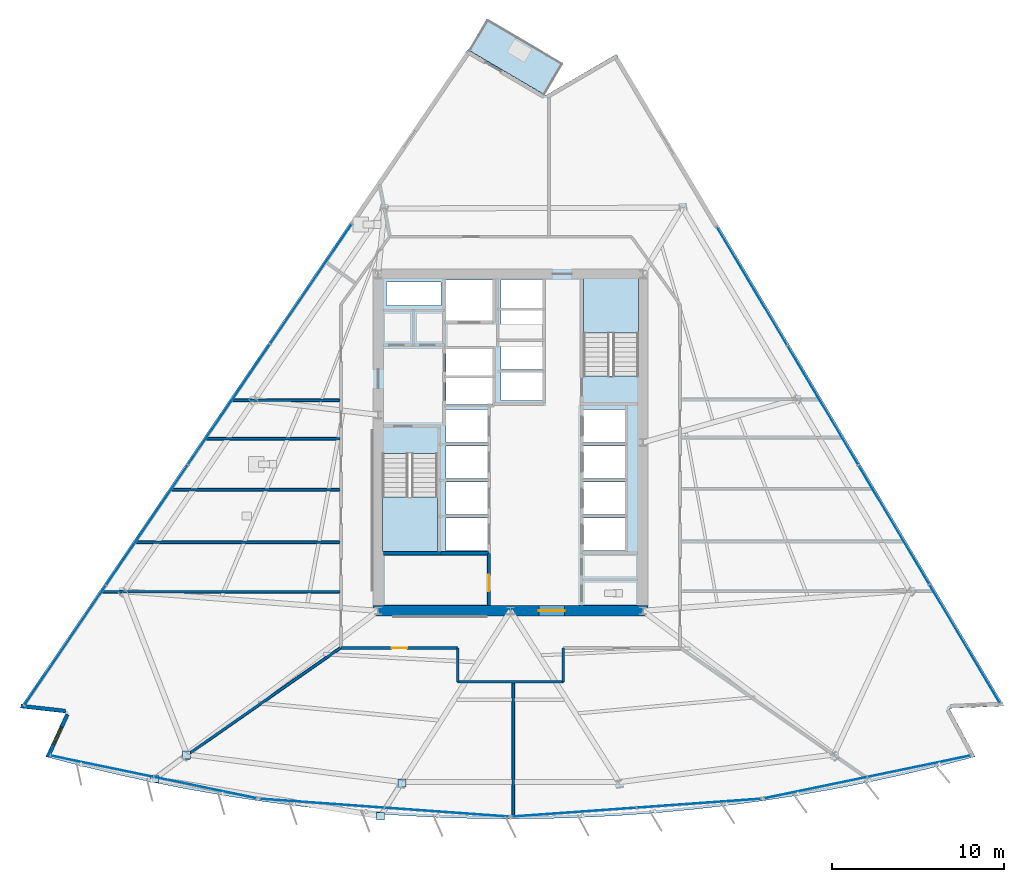
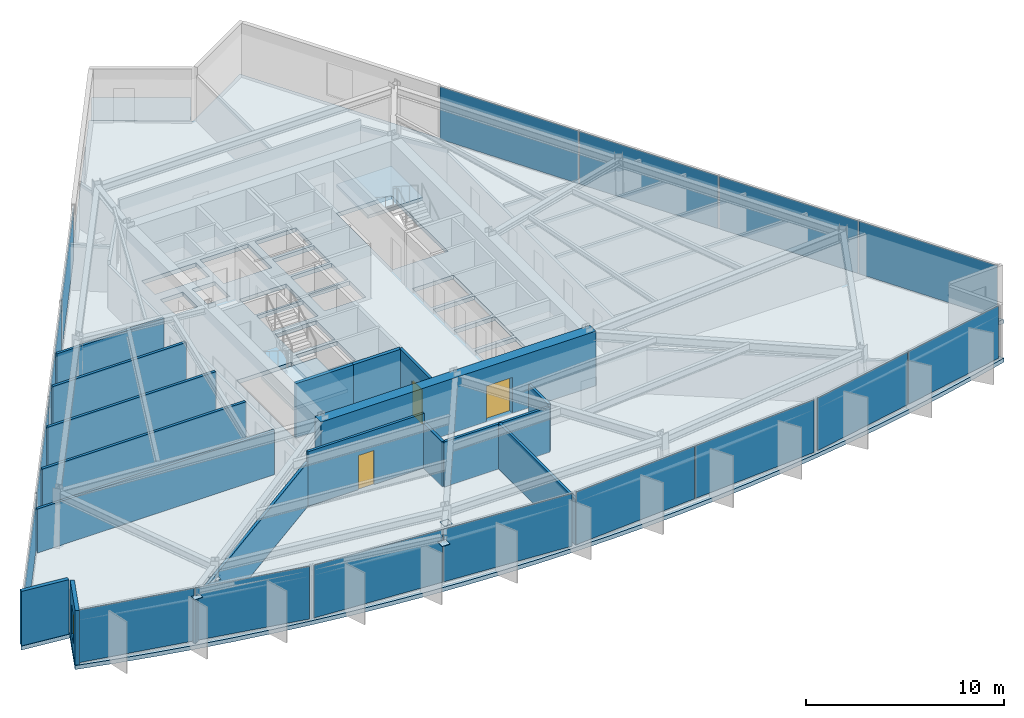
# One storey, part 7 of 15: 20 plates, 17 walls, 4 slabs, 3 doors, 1 window, 4 openings, 8 elements without a shape of their own.
"""IFC4 building model written with IfcOpenShell, lengths in metres."""

from ifc_helpers import new_model, si_unit, direction, frame, frame_2d, origin, origin_2d, place, context, subcontext, project, spatial, polyline, rectangle, outline, extrude, material, layer, layer_set, type_object, element, fill, aggregate, save


model = new_model("IFC4")

# Units and contexts
model_context = context("Model", 3, precision=1e-05, world=origin(), true_north=direction((0.0, 1.0)))
body_context = subcontext(model_context, "Body", "Model", "MODEL_VIEW")
ifc_project = project(units=[si_unit("LENGTHUNIT", "METRE"), si_unit("AREAUNIT", "SQUARE_METRE"), si_unit("VOLUMEUNIT", "CUBIC_METRE"), si_unit("PLANEANGLEUNIT", "RADIAN"), si_unit("MASSUNIT", "GRAM", prefix="KILO")], contexts=[model_context])

# Site, building, storey
site_placement = place(None, origin())
site = spatial("IfcSite", under=ifc_project, at=site_placement, CompositionType="ELEMENT")
building_placement = place(site_placement, origin())
building = spatial("IfcBuilding", under=site, at=building_placement, Name="Savorim Split Tower", CompositionType="ELEMENT")
storey_placement = place(building_placement, frame((0.0, 0.0, 100.5)))
storey = spatial("IfcBuildingStorey", under=building, at=storey_placement, Name="L26", CompositionType="ELEMENT", Elevation=100.5)

# Curtain wall, plates
ifc_material_1 = material(Name="Dark Ceramic-Fritted Insulated Glass", Category="glass")
curtain_wall_type = type_object("IfcCurtainWallType", Name="CW-TWR-FRIT-A", PredefinedType="NOTDEFINED", material=ifc_material_1)
curtain_wall_1_placement = place(storey_placement, origin())
curtain_wall_1 = element("IfcCurtainWall", 1, at=curtain_wall_1_placement, inside=storey, type_object=curtain_wall_type, Name="L26 Curtain Wall CW-L26-SF1", PredefinedType="NOTDEFINED")
ifc_layer_1 = layer(ifc_material_1, 0.028076171875)
ifc_layer_set_1 = layer_set([ifc_layer_1], Name="CWP-FRITA-28")
plate_type_1 = type_object("IfcPlateType", Name="CWP-FRITA-28", PredefinedType="CURTAIN_PANEL", material=ifc_layer_set_1)
plate_1_placement = place(storey_placement, frame((-23.7607421875, -18.440673828125, 0.05517578125), z_axis=(0.0, 0.0, 1.0), x_axis=(0.979135145772, -0.203210153081, 0.0)))
plate_1 = element("IfcPlate", 2, at=plate_1_placement, type_object=plate_type_1, Name="CW-02 panel 1.1", PredefinedType="CURTAIN_PANEL", context=body_context, shape_type="SweptSolid", body=[
    extrude(rectangle(XDim=6.072021484375, YDim=0.028076171875, at=origin_2d()), origin(), (0.0, 0.0, 1.0), 3.239990234375),
])
plate_2_placement = place(storey_placement, frame((-17.751708984375, -19.687744140625, 0.05517578125), z_axis=(0.0, 0.0, 1.0), x_axis=(0.979135145772, -0.203210153081, 0.0)))
plate_2 = element("IfcPlate", 3, at=plate_2_placement, type_object=plate_type_1, Name="CW-02 panel 2.1", PredefinedType="CURTAIN_PANEL", context=body_context, shape_type="SweptSolid", body=[
    extrude(rectangle(XDim=6.072021484375, YDim=0.028076171875, at=origin_2d()), origin(), (0.0, 0.0, 1.0), 3.239990234375),
])
aggregate(curtain_wall_1, [plate_1, plate_2])

curtain_wall_2_placement = place(storey_placement, origin())
curtain_wall_2 = element("IfcCurtainWall", 4, at=curtain_wall_2_placement, inside=storey, type_object=curtain_wall_type, Name="L26 Curtain Wall CW-L26-SF2", PredefinedType="NOTDEFINED")
plate_3_placement = place(storey_placement, frame((-10.9560546875, -20.594482421875, 0.05517578125), z_axis=(0.0, 0.0, 1.0), x_axis=(0.997436258114, -0.071560540796, 0.0)))
plate_3 = element("IfcPlate", 5, at=plate_3_placement, type_object=plate_type_1, Name="CW-02 panel 1.1", PredefinedType="CURTAIN_PANEL", context=body_context, shape_type="SweptSolid", body=[
    extrude(rectangle(XDim=7.201904296875, YDim=0.028076171875, at=origin_2d()), origin(), (0.0, 0.0, 1.0), 3.239990234375),
])
plate_4_placement = place(storey_placement, frame((-3.707763671875, -21.114501953125, 0.05517578125), z_axis=(0.0, 0.0, 1.0), x_axis=(0.997436258114, -0.071560540796, 0.0)))
plate_4 = element("IfcPlate", 6, at=plate_4_placement, type_object=plate_type_1, Name="CW-02 panel 2.1", PredefinedType="CURTAIN_PANEL", context=body_context, shape_type="SweptSolid", body=[
    extrude(rectangle(XDim=7.201904296875, YDim=0.028076171875, at=origin_2d()), origin(), (0.0, 0.0, 1.0), 3.239990234375),
])
aggregate(curtain_wall_2, [plate_3, plate_4])

curtain_wall_3_placement = place(storey_placement, origin())
curtain_wall_3 = element("IfcCurtainWall", 7, at=curtain_wall_3_placement, inside=storey, type_object=curtain_wall_type, Name="L26 Curtain Wall CW-L26-SF3", PredefinedType="NOTDEFINED")
plate_5_placement = place(storey_placement, frame((3.707763671875, -21.114501953125, 0.05517578125), z_axis=(0.0, 0.0, 1.0), x_axis=(0.997436258114, 0.071560540796, 0.0)))
plate_5 = element("IfcPlate", 8, at=plate_5_placement, type_object=plate_type_1, Name="CW-02 panel 1.1", PredefinedType="CURTAIN_PANEL", context=body_context, shape_type="SweptSolid", body=[
    extrude(rectangle(XDim=7.201904296875, YDim=0.028076171875, at=origin_2d()), origin(), (0.0, 0.0, 1.0), 3.239990234375),
])
plate_6_placement = place(storey_placement, frame((10.9560546875, -20.594482421875, 0.05517578125), z_axis=(0.0, 0.0, 1.0), x_axis=(0.997436258114, 0.071560540796, 0.0)))
plate_6 = element("IfcPlate", 9, at=plate_6_placement, type_object=plate_type_1, Name="CW-02 panel 2.1", PredefinedType="CURTAIN_PANEL", context=body_context, shape_type="SweptSolid", body=[
    extrude(rectangle(XDim=7.201904296875, YDim=0.028076171875, at=origin_2d()), origin(), (0.0, 0.0, 1.0), 3.239990234375),
])
aggregate(curtain_wall_3, [plate_5, plate_6])

curtain_wall_4_placement = place(storey_placement, origin())
curtain_wall_4 = element("IfcCurtainWall", 10, at=curtain_wall_4_placement, inside=storey, type_object=curtain_wall_type, Name="L26 Curtain Wall CW-L26-SF4", PredefinedType="NOTDEFINED")
plate_7_placement = place(storey_placement, frame((17.751708984375, -19.687744140625, 0.05517578125), z_axis=(0.0, 0.0, 1.0), x_axis=(0.979135145772, 0.203210153081, 0.0)))
plate_7 = element("IfcPlate", 11, at=plate_7_placement, type_object=plate_type_1, Name="CW-02 panel 1.1", PredefinedType="CURTAIN_PANEL", context=body_context, shape_type="SweptSolid", body=[
    extrude(rectangle(XDim=6.072021484375, YDim=0.028076171875, at=origin_2d()), origin(), (0.0, 0.0, 1.0), 3.239990234375),
])
plate_8_placement = place(storey_placement, frame((23.7607421875, -18.440673828125, 0.05517578125), z_axis=(0.0, 0.0, 1.0), x_axis=(0.979135145772, 0.203210153081, 0.0)))
plate_8 = element("IfcPlate", 12, at=plate_8_placement, type_object=plate_type_1, Name="CW-02 panel 2.1", PredefinedType="CURTAIN_PANEL", context=body_context, shape_type="SweptSolid", body=[
    extrude(rectangle(XDim=6.072021484375, YDim=0.028076171875, at=origin_2d()), origin(), (0.0, 0.0, 1.0), 3.239990234375),
])
aggregate(curtain_wall_4, [plate_7, plate_8])

curtain_wall_5_placement = place(storey_placement, origin())
curtain_wall_5 = element("IfcCurtainWall", 13, at=curtain_wall_5_placement, inside=storey, type_object=curtain_wall_type, Name="L26 Curtain Wall CW-L26-EAST", PredefinedType="NOTDEFINED")
plate_9_placement = place(storey_placement, frame((26.423583984375, -11.32275390625, 0.05517578125), z_axis=(0.0, 0.0, 1.0), x_axis=(-0.511094481315, 0.859524537852, 0.0)))
plate_9 = element("IfcPlate", 14, at=plate_9_placement, type_object=plate_type_1, Name="CW-02 panel 1.1", PredefinedType="CURTAIN_PANEL", context=body_context, shape_type="SweptSolid", body=[
    extrude(rectangle(XDim=7.983154296875, YDim=0.028076171875, at=origin_2d()), origin(), (0.0, 0.0, 1.0), 3.239990234375),
])
plate_10_placement = place(storey_placement, frame((22.3017578125, -4.39111328125, 0.05517578125), z_axis=(0.0, 0.0, 1.0), x_axis=(-0.511094481315, 0.859524537852, 0.0)))
plate_10 = element("IfcPlate", 15, at=plate_10_placement, type_object=plate_type_1, Name="CW-02 panel 2.1", PredefinedType="CURTAIN_PANEL", context=body_context, shape_type="SweptSolid", body=[
    extrude(rectangle(XDim=8.015625, YDim=0.028076171875, at=origin_2d()), origin(), (0.0, 0.0, 1.0), 3.239990234375),
])
plate_11_placement = place(storey_placement, frame((18.171630859375, 2.554443359375, 0.05517578125), z_axis=(0.0, 0.0, 1.0), x_axis=(-0.511094481315, 0.859524537852, 0.0)))
plate_11 = element("IfcPlate", 16, at=plate_11_placement, type_object=plate_type_1, Name="CW-02 panel 3.1", PredefinedType="CURTAIN_PANEL", context=body_context, shape_type="SweptSolid", body=[
    extrude(rectangle(XDim=8.015625, YDim=0.028076171875, at=origin_2d()), origin(), (0.0, 0.0, 1.0), 3.239990234375),
])
plate_12_placement = place(storey_placement, frame((14.050048828125, 9.486083984375, 0.05517578125), z_axis=(0.0, 0.0, 1.0), x_axis=(-0.511094481315, 0.859524537852, 0.0)))
plate_12 = element("IfcPlate", 17, at=plate_12_placement, type_object=plate_type_1, Name="CW-02 panel 4.1", PredefinedType="CURTAIN_PANEL", context=body_context, shape_type="SweptSolid", body=[
    extrude(rectangle(XDim=7.983154296875, YDim=0.028076171875, at=origin_2d()), origin(), (0.0, 0.0, 1.0), 3.239990234375),
])
aggregate(curtain_wall_5, [plate_9, plate_10, plate_11, plate_12])

curtain_wall_6_placement = place(storey_placement, origin())
curtain_wall_6 = element("IfcCurtainWall", 18, at=curtain_wall_6_placement, inside=storey, type_object=curtain_wall_type, Name="L26 Curtain Wall CW-L26-WEST", PredefinedType="NOTDEFINED")
plate_13_placement = place(storey_placement, frame((-11.61328125, 9.613525390625, 0.05517578125), z_axis=(0.0, 0.0, 1.0), x_axis=(-0.562467515846, -0.826819383915, 0.0)))
plate_13 = element("IfcPlate", 19, at=plate_13_placement, type_object=plate_type_1, Name="CW-02 panel 1.1", PredefinedType="CURTAIN_PANEL", context=body_context, shape_type="SweptSolid", body=[
    extrude(rectangle(XDim=8.39013671875, YDim=0.028076171875, at=origin_2d()), origin(), (0.0, 0.0, 1.0), 3.239990234375),
])
plate_14_placement = place(storey_placement, frame((-16.378173828125, 2.609375, 0.05517578125), z_axis=(0.0, 0.0, 1.0), x_axis=(-0.562467515846, -0.826819383915, 0.0)))
plate_14 = element("IfcPlate", 20, at=plate_14_placement, type_object=plate_type_1, Name="CW-02 panel 2.1", PredefinedType="CURTAIN_PANEL", context=body_context, shape_type="SweptSolid", body=[
    extrude(rectangle(XDim=8.422607421875, YDim=0.028076171875, at=origin_2d()), origin(), (0.0, 0.0, 1.0), 3.239990234375),
])
plate_15_placement = place(storey_placement, frame((-21.15234375, -4.408447265625, 0.05517578125), z_axis=(0.0, 0.0, 1.0), x_axis=(-0.562467515846, -0.826819383915, 0.0)))
plate_15 = element("IfcPlate", 21, at=plate_15_placement, type_object=plate_type_1, Name="CW-02 panel 3.1", PredefinedType="CURTAIN_PANEL", context=body_context, shape_type="SweptSolid", body=[
    extrude(rectangle(XDim=8.422607421875, YDim=0.028076171875, at=origin_2d()), origin(), (0.0, 0.0, 1.0), 3.239990234375),
])
plate_16_placement = place(storey_placement, frame((-25.917236328125, -11.412841796875, 0.05517578125), z_axis=(0.0, 0.0, 1.0), x_axis=(-0.562467515846, -0.826819383915, 0.0)))
plate_16 = element("IfcPlate", 22, at=plate_16_placement, type_object=plate_type_1, Name="CW-02 panel 4.1", PredefinedType="CURTAIN_PANEL", context=body_context, shape_type="SweptSolid", body=[
    extrude(rectangle(XDim=8.39013671875, YDim=0.028076171875, at=origin_2d()), origin(), (0.0, 0.0, 1.0), 3.239990234375),
])
aggregate(curtain_wall_6, [plate_13, plate_14, plate_15, plate_16])

# Plates
ifc_material_2 = material(Name="Steel S460", Category="steel")
ifc_layer_2 = layer(ifc_material_2, 0.02490234375)
ifc_layer_set_2 = layer_set([ifc_layer_2], Name="PLT-NODE-CN1")
plate_type_2 = type_object("IfcPlateType", Name="PLT-NODE-CN1", PredefinedType="SHEET", material=ifc_layer_set_2)
for number, where, z_axis, x_axis, name in (
    (23, (-18.848876953125, -17.796630859375, 2.4375), (0.0, 0.0, 1.0), (1.0, 0.0, 0.0), "L26 Bay Strut Column Gusset Plate 1"),
    (24, (-20.7041015625, -19.169921875, 2.8076171875), (0.0, 0.0, 1.0), (1.0, 0.0, 0.0), "L26 Bay Strut Tip Gusset Plate 1"),
    (25, (-6.317138671875, -19.405517578125, 2.4375), (0.0, 0.0, 1.0), (1.0, 0.0, 0.0), "L26 Bay Strut Column Gusset Plate 2"),
    (26, (-7.56640625, -21.3505859375, 2.8076171875), (0.0, 0.0, 1.0), (1.0, 0.0, 0.0), "L26 Bay Strut Tip Gusset Plate 2"),
):
    element("IfcPlate", number, at=place(storey_placement, frame(where, z_axis=z_axis, x_axis=x_axis)), inside=storey, type_object=plate_type_2, Name=name, PredefinedType="SHEET", context=body_context, shape_type="SweptSolid", body=[
        extrude(rectangle(XDim=0.4599609375, YDim=0.4599609375, at=origin_2d()), origin(), (0.0, 0.0, 1.0), 0.02490234375),
    ])

# Slab
ifc_material_3 = material(Name="Concrete C50/60", Category="concrete")
ifc_layer_3 = layer(ifc_material_3, 0.219970703125)
ifc_layer_set_3 = layer_set([ifc_layer_3], Name="SLB-BAL-220")
slab_type_1 = type_object("IfcSlabType", Name="SLB-BAL-220", PredefinedType="FLOOR", material=ifc_layer_set_3)
slab_1_placement = place(storey_placement, frame((0.0, 0.0, -0.219970703125)))
element("IfcSlab", 27, at=slab_1_placement, inside=storey, type_object=slab_type_1, Name="L26 Notched Corner Planted Tree Balcony Slab", PredefinedType="FLOOR", context=body_context, shape_type="SweptSolid", body=[
    extrude(outline(polyline([(-2.377197265625, 23.191650390625), (1.94580078125, 20.650634765625), (2.98193359375, 22.413818359375), (-1.341064453125, 24.95458984375), (-2.377197265625, 23.191650390625)])), origin(), (0.0, 0.0, 1.0), 0.219970703125),
])

# Stair, slab
stair_type = type_object("IfcStairType", Name="STR-DOG-3600", PredefinedType="HALF_TURN_STAIR", material=ifc_material_3)
stair_1_placement = place(storey_placement, origin())
stair_1 = element("IfcStair", 28, at=stair_1_placement, inside=storey, type_object=stair_type, Name="L26 Core Protected Exit Stair ST-1", PredefinedType="HALF_TURN_STAIR")
ifc_layer_4 = layer(ifc_material_3, 0.199951171875)
ifc_layer_set_4 = layer_set([ifc_layer_4], Name="SLB-LND-200")
slab_type_2 = type_object("IfcSlabType", Name="SLB-LND-200", PredefinedType="LANDING", material=ifc_layer_set_4)
slab_2_placement = place(storey_placement, frame((0.0, 0.0, 1.60009765625)))
slab_2 = element("IfcSlab", 29, at=slab_2_placement, type_object=slab_type_2, Name="ST-1 landing 1", PredefinedType="LANDING", context=body_context, shape_type="SweptSolid", body=[
    extrude(outline(polyline([(-7.449951171875, -2.77001953125), (-7.449951171875, -5.949951171875), (-4.25, -5.949951171875), (-4.25, -2.77001953125), (-7.449951171875, -2.77001953125)])), origin(), (0.0, 0.0, 1.0), 0.199951171875),
])
aggregate(stair_1, [slab_2])

stair_2_placement = place(storey_placement, origin())
stair_2 = element("IfcStair", 30, at=stair_2_placement, inside=storey, type_object=stair_type, Name="L26 Core Protected Exit Stair ST-2", PredefinedType="HALF_TURN_STAIR")
slab_3_placement = place(storey_placement, frame((0.0, 0.0, 1.60009765625)))
slab_3 = element("IfcSlab", 31, at=slab_3_placement, type_object=slab_type_2, Name="ST-2 landing 1", PredefinedType="LANDING", context=body_context, shape_type="SweptSolid", body=[
    extrude(outline(polyline([(7.449951171875, 6.77001953125), (7.449951171875, 9.949951171875), (4.25, 9.949951171875), (4.25, 6.77001953125), (7.449951171875, 6.77001953125)])), origin(), (0.0, 0.0, 1.0), 0.199951171875),
])
aggregate(stair_2, [slab_3])

# Slab
ifc_layer_5 = layer(ifc_material_3, 0.25)
ifc_layer_set_5 = layer_set([ifc_layer_5], Name="SLB-TWR-250")
slab_type_3 = type_object("IfcSlabType", Name="SLB-TWR-250", PredefinedType="FLOOR", material=ifc_layer_set_5)
slab_4_placement = place(storey_placement, frame((0.0, 0.0, -0.25)))
element("IfcSlab", 32, at=slab_4_placement, inside=storey, type_object=slab_type_3, Name="L26 Structural Floor Slab", PredefinedType="FLOOR", context=body_context, shape_type="SweptSolid", body=[
    extrude(outline(polyline([(-27.036865234375, -17.88330078125), (-25.000732421875, -18.415771484375), (-22.954345703125, -18.90625), (-20.898193359375, -19.35498046875), (-18.83349609375, -19.76171875), (-16.7607421875, -20.125732421875), (-14.68115234375, -20.447509765625), (-12.59521484375, -20.7265625), (-10.504150390625, -20.962890625), (-8.40869140625, -21.156494140625), (-6.3095703125, -21.30712890625), (-4.207763671875, -21.414794921875), (-2.104248046875, -21.479248046875), (0.0, -21.500732421875), (2.104248046875, -21.479248046875), (4.207763671875, -21.414794921875), (6.3095703125, -21.30712890625), (8.40869140625, -21.156494140625), (10.504150390625, -20.962890625), (12.59521484375, -20.7265625), (14.68115234375, -20.447509765625), (16.7607421875, -20.125732421875), (18.83349609375, -19.76171875), (20.898193359375, -19.35498046875), (22.954345703125, -18.90625), (25.000732421875, -18.415771484375), (27.036865234375, -17.88330078125), (25.52880859375, -15.072998046875), (28.71240234375, -14.9375), (6.1630859375, 22.984619140625), (2.046875, 20.585693359375), (-2.4833984375, 23.248046875), (-28.536376953125, -15.049560546875), (-25.87158203125, -15.34716796875), (-27.036865234375, -17.88330078125)]), holes=[polyline([(-7.449951171875, -0.25390625), (-7.449951171875, -5.949951171875), (-4.25, -5.949951171875), (-4.25, -0.25390625), (-7.449951171875, -0.25390625)]), polyline([(7.449951171875, 4.25390625), (7.449951171875, 9.949951171875), (4.25, 9.949951171875), (4.25, 4.25390625), (7.449951171875, 4.25390625)]), polyline([(4.25, -5.89990234375), (6.64990234375, -5.89990234375), (6.64990234375, -4.0), (4.25, -4.0), (4.25, -5.89990234375)]), polyline([(4.25, -3.800048828125), (6.64990234375, -3.800048828125), (6.64990234375, -1.89990234375), (4.25, -1.89990234375), (4.25, -3.800048828125)]), polyline([(4.25, -1.699951171875), (6.64990234375, -1.699951171875), (6.64990234375, 0.199951171875), (4.25, 0.199951171875), (4.25, -1.699951171875)]), polyline([(4.25, 0.39990234375), (6.64990234375, 0.39990234375), (6.64990234375, 2.300048828125), (4.25, 2.300048828125), (4.25, 0.39990234375)]), polyline([(-3.75, -5.89990234375), (-1.35009765625, -5.89990234375), (-1.35009765625, -4.0), (-3.75, -4.0), (-3.75, -5.89990234375)]), polyline([(-3.75, -3.800048828125), (-1.35009765625, -3.800048828125), (-1.35009765625, -1.89990234375), (-3.75, -1.89990234375), (-3.75, -3.800048828125)]), polyline([(-3.75, -1.699951171875), (-1.35009765625, -1.699951171875), (-1.35009765625, 0.199951171875), (-3.75, 0.199951171875), (-3.75, -1.699951171875)]), polyline([(-3.75, 0.39990234375), (-1.35009765625, 0.39990234375), (-1.35009765625, 2.300048828125), (-3.75, 2.300048828125), (-3.75, 0.39990234375)]), polyline([(-0.550048828125, 2.830078125), (1.85009765625, 2.830078125), (1.85009765625, 4.469970703125), (-0.550048828125, 4.469970703125), (-0.550048828125, 2.830078125)]), polyline([(-0.550048828125, 4.6298828125), (1.85009765625, 4.6298828125), (1.85009765625, 6.27001953125), (-0.550048828125, 6.27001953125), (-0.550048828125, 4.6298828125)]), polyline([(-0.550048828125, 6.429931640625), (1.85009765625, 6.429931640625), (1.85009765625, 8.070068359375), (-0.550048828125, 8.070068359375), (-0.550048828125, 6.429931640625)]), polyline([(-0.550048828125, 8.22998046875), (1.85009765625, 8.22998046875), (1.85009765625, 9.8701171875), (-0.550048828125, 9.8701171875), (-0.550048828125, 8.22998046875)]), polyline([(-3.75, 2.60009765625), (-1.050048828125, 2.60009765625), (-1.050048828125, 4.159912109375), (-3.75, 4.159912109375), (-3.75, 2.60009765625)]), polyline([(-3.75, 4.280029296875), (-1.050048828125, 4.280029296875), (-1.050048828125, 5.840087890625), (-3.75, 5.840087890625), (-3.75, 4.280029296875)]), polyline([(-3.75, 7.449951171875), (-0.949951171875, 7.449951171875), (-0.949951171875, 9.85009765625), (-3.75, 9.85009765625), (-3.75, 7.449951171875)]), polyline([(-7.219970703125, 6.320068359375), (-5.919921875, 6.320068359375), (-5.919921875, 7.820068359375), (-7.219970703125, 7.820068359375), (-7.219970703125, 6.320068359375)]), polyline([(-5.3798828125, 6.320068359375), (-4.050048828125, 6.320068359375), (-4.050048828125, 7.820068359375), (-5.3798828125, 7.820068359375), (-5.3798828125, 6.320068359375)]), polyline([(-7.219970703125, 8.360107421875), (-4.050048828125, 8.360107421875), (-4.050048828125, 9.719970703125), (-7.219970703125, 9.719970703125), (-7.219970703125, 8.360107421875)])]), origin(), (0.0, 0.0, 1.0), 0.25),
])

# Wall, opening, door
ifc_material_4 = material(Name="Concrete C60/75", Category="concrete")
ifc_layer_6 = layer(ifc_material_4, 0.60009765625)
ifc_layer_set_6 = layer_set([ifc_layer_6], Name="WAL-COR-SH600")
wall_type_1 = type_object("IfcWallType", Name="WAL-COR-SH600", PredefinedType="SHEAR", material=ifc_layer_set_6)
wall_1_placement = place(storey_placement, frame((-8.0, -9.39990234375, 0.0), z_axis=(0.0, 0.0, 1.0), x_axis=(1.0, 0.0, 0.0)))
wall_1 = element("IfcWall", 33, at=wall_1_placement, inside=storey, type_object=wall_type_1, Name="L26 Offset Core South Shear Wall", PredefinedType="SHEAR", context=body_context, shape_type="SweptSolid", body=[
    extrude(rectangle(XDim=16.0, YDim=0.60009765625, at=frame_2d((8.0, 0.0))), origin(), (0.0, 0.0, 1.0), 3.35009765625),
])
opening_1_placement = place(wall_1_placement, frame((9.64990234375, 0.0, 0.0)))
opening_1 = element("IfcOpeningElement", 34, at=opening_1_placement, cuts=wall_1, Name="Opening DI-02", PredefinedType="OPENING", context=body_context, shape_type="SweptSolid", body=[
    extrude(rectangle(XDim=1.5, YDim=2.199951171875, at=frame_2d((0.75, 1.10009765625))), frame((0.0, 0.31005859375, 0.0), z_axis=(0.0, -1.0, 0.0), x_axis=(1.0, 0.0, 0.0)), (0.0, 0.0, 1.0), 0.6201171875),
])
ifc_material_5 = material(Name="Timber Fire Door Leaf", Category="wood")
door_type_1 = type_object("IfcDoorType", Name="DOR-DBL-1500", OperationType="NOTDEFINED", PredefinedType="DOOR", material=ifc_material_5)
door_1_placement = place(opening_1_placement, origin())
door_1 = element("IfcDoor", 35, at=door_1_placement, inside=storey, type_object=door_type_1, Name="DOR-L26-COR-LLOB - L26 Lift Lobby Main Rated Door", OperationType="DOUBLE_DOOR_SINGLE_SWING", OverallHeight=2.199951171875, OverallWidth=1.5, PredefinedType="DOOR", context=body_context, shape_type="SweptSolid", body=[
    extrude(rectangle(XDim=1.5, YDim=2.199951171875, at=frame_2d((0.75, 1.10009765625))), frame((0.0, 0.02490234375, 0.0), z_axis=(0.0, -1.0, 0.0), x_axis=(1.0, 0.0, 0.0)), (0.0, 0.0, 1.0), 0.050048828125),
])
fill(opening_1, door_1)

# Wall
ifc_material_6 = material(Name="Precast concrete C40/50", Category="concrete")
ifc_layer_7 = layer(ifc_material_6, 0.219970703125)
ifc_layer_set_7 = layer_set([ifc_layer_7], Name="WAL-EXT-CRN220")
wall_type_2 = type_object("IfcWallType", Name="WAL-EXT-CRN220", PredefinedType="SOLIDWALL", material=ifc_layer_set_7)
wall_2_placement = place(storey_placement, frame((-25.89794921875, -15.223388671875, 0.0), z_axis=(0.0, 0.0, 1.0), x_axis=(-0.993827522589, 0.110936267041, 0.0)))
element("IfcWall", 36, at=wall_2_placement, inside=storey, type_object=wall_type_2, Name="L26 Notched Corner Facade Wall SW1", PredefinedType="SOLIDWALL", context=body_context, shape_type="SweptSolid", body=[
    extrude(rectangle(XDim=2.601318359375, YDim=0.219970703125, at=frame_2d((1.30078125, 0.0))), origin(), (0.0, 0.0, 1.0), 3.35009765625),
])

# Wall, opening, window
wall_3_placement = place(storey_placement, frame((-26.9111328125, -17.89697265625, 0.0), z_axis=(0.0, 0.0, 1.0), x_axis=(0.417504190978, 0.908674997189, 0.0)))
wall_3 = element("IfcWall", 37, at=wall_3_placement, inside=storey, type_object=wall_type_2, Name="L26 Notched Corner Facade Wall SW", PredefinedType="SOLIDWALL", context=body_context, shape_type="SweptSolid", body=[
    extrude(rectangle(XDim=2.7109375, YDim=0.219970703125, at=frame_2d((1.35546875, 0.0))), origin(), (0.0, 0.0, 1.0), 3.35009765625),
])
opening_2_placement = place(wall_3_placement, frame((0.805419921875, 0.0, 0.6201171875)))
opening_2 = element("IfcOpeningElement", 38, at=opening_2_placement, cuts=wall_3, Name="Opening WN-09", PredefinedType="OPENING", context=body_context, shape_type="SweptSolid", body=[
    extrude(rectangle(XDim=1.10009765625, YDim=1.800048828125, at=frame_2d((0.550048828125, 0.89990234375))), frame((0.0, 0.119873046875, 0.0), z_axis=(0.0, -1.0, 0.0), x_axis=(1.0, 0.0, 0.0)), (0.0, 0.0, 1.0), 0.239990234375),
])
ifc_material_7 = material(Name="Low-E Operable Double Glazing", Category="glass")
window_type = type_object("IfcWindowType", Name="WIN-TWR-1100x1800", PartitioningType="SINGLE_PANEL", PredefinedType="WINDOW", material=ifc_material_7)
window_placement = place(opening_2_placement, origin())
window = element("IfcWindow", 39, at=window_placement, inside=storey, type_object=window_type, Name="L26 Operable Corner Window SW", OverallHeight=1.800048828125, OverallWidth=1.10009765625, PartitioningType="SINGLE_PANEL", PredefinedType="WINDOW", context=body_context, shape_type="SweptSolid", body=[
    extrude(rectangle(XDim=1.10009765625, YDim=1.800048828125, at=frame_2d((0.550048828125, 0.89990234375))), frame((0.0, 0.030029296875, 0.0), z_axis=(0.0, -1.0, 0.0), x_axis=(1.0, 0.0, 0.0)), (0.0, 0.0, 1.0), 0.06005859375),
])
fill(opening_2, window)

# Walls
ifc_layer_8 = layer(ifc_material_3, 0.199951171875)
ifc_layer_set_8 = layer_set([ifc_layer_8], Name="WAL-INT-RC200")
wall_type_3 = type_object("IfcWallType", Name="WAL-INT-RC200", PredefinedType="SOLIDWALL", material=ifc_layer_set_8)
wall_4_placement = place(storey_placement, frame((-7.39990234375, -6.050048828125, 0.0), z_axis=(0.0, 0.0, 1.0), x_axis=(1.0, 0.0, 0.0)))
element("IfcWall", 40, at=wall_4_placement, inside=storey, type_object=wall_type_3, Name="L26 Structural Shaft Wall W-L26-KSEP-W", PredefinedType="SOLIDWALL", context=body_context, shape_type="SweptSolid", body=[
    extrude(rectangle(XDim=3.349853515625, YDim=0.199951171875, at=frame_2d((1.6748046875, 0.0))), origin(), (0.0, 0.0, 1.0), 3.35009765625),
])
wall_5_placement = place(storey_placement, frame((-4.0400390625, -6.050048828125, 0.0), z_axis=(0.0, 0.0, 1.0), x_axis=(1.0, 0.0, 0.0)))
element("IfcWall", 41, at=wall_5_placement, inside=storey, type_object=wall_type_3, Name="L26 Partition W-L26-KSEP-W2", PredefinedType="SOLIDWALL", context=body_context, shape_type="SweptSolid", body=[
    extrude(rectangle(XDim=2.7900390625, YDim=0.199951171875, at=frame_2d((1.39501953125, 0.0))), origin(), (0.0, 0.0, 1.0), 3.35009765625),
])

# Wall, opening, door
ifc_material_8 = material(Name="Acoustic Gypsum Partition Board")
ifc_layer_9 = layer(ifc_material_8, 0.14990234375)
ifc_layer_set_9 = layer_set([ifc_layer_9], Name="WAL-PAR-150")
wall_type_4 = type_object("IfcWallType", Name="WAL-PAR-150", PredefinedType="PARTITIONING", material=ifc_layer_set_9)
wall_6_placement = place(storey_placement, frame((-1.25, -9.094970703125, 0.0), z_axis=(0.0, 0.0, 1.0), x_axis=(0.0, 1.0, 0.0)))
wall_6 = element("IfcWall", 42, at=wall_6_placement, inside=storey, type_object=wall_type_4, Name="L26 Partition W-L26-KLOB-W", PredefinedType="PARTITIONING", context=body_context, shape_type="SweptSolid", body=[
    extrude(rectangle(XDim=3.044921875, YDim=0.14990234375, at=frame_2d((1.5224609375, 0.0))), origin(), (0.0, 0.0, 1.0), 3.35009765625),
])
opening_3_placement = place(wall_6_placement, frame((0.844970703125, 0.0, 0.0)))
opening_3 = element("IfcOpeningElement", 43, at=opening_3_placement, cuts=wall_6, Name="Opening DI-05", PredefinedType="OPENING", context=body_context, shape_type="SweptSolid", body=[
    extrude(rectangle(XDim=0.949951171875, YDim=2.10009765625, at=frame_2d((0.47509765625, 1.050048828125))), frame((0.0, 0.0849609375, 0.0), z_axis=(0.0, -1.0, 0.0), x_axis=(1.0, 0.0, 0.0)), (0.0, 0.0, 1.0), 0.169921875),
])
door_type_2 = type_object("IfcDoorType", Name="DOR-FIR-950", OperationType="NOTDEFINED", PredefinedType="DOOR", material=ifc_material_5)
door_2_placement = place(opening_3_placement, origin())
door_2 = element("IfcDoor", 44, at=door_2_placement, inside=storey, type_object=door_type_2, Name="DR-L26-K3LIN - L26 Housekeeping Store Door", OperationType="SINGLE_SWING_LEFT", OverallHeight=2.10009765625, OverallWidth=0.949951171875, PredefinedType="DOOR", context=body_context, shape_type="SweptSolid", body=[
    extrude(rectangle(XDim=0.949951171875, YDim=2.10009765625, at=frame_2d((0.47509765625, 1.050048828125))), frame((0.0, 0.02490234375, 0.0), z_axis=(0.0, -1.0, 0.0), x_axis=(1.0, 0.0, 0.0)), (0.0, 0.0, 1.0), 0.050048828125),
])
fill(opening_3, door_2)

# Walls
wall_7_placement = place(storey_placement, frame((3.080078125, -11.56005859375, 0.0), z_axis=(0.0, 0.0, 1.0), x_axis=(0.0, -1.0, 0.0)))
element("IfcWall", 45, at=wall_7_placement, inside=storey, type_object=wall_type_4, Name="L26 Partition W-L26-COR-07", PredefinedType="PARTITIONING", context=body_context, shape_type="SweptSolid", body=[
    extrude(rectangle(XDim=1.969970703125, YDim=0.14990234375, at=frame_2d((0.98486328125, 0.0))), origin(), (0.0, 0.0, 1.0), 2.925048828125),
])
wall_8_placement = place(storey_placement, frame((3.080078125, -13.530029296875, 0.0), z_axis=(0.0, 0.0, 1.0), x_axis=(-1.0, 0.0, 0.0)))
element("IfcWall", 46, at=wall_8_placement, inside=storey, type_object=wall_type_4, Name="L26 Partition W-L26-COR-08", PredefinedType="PARTITIONING", context=body_context, shape_type="SweptSolid", body=[
    extrude(rectangle(XDim=6.16015625, YDim=0.14990234375, at=frame_2d((3.080078125, 0.0))), origin(), (0.0, 0.0, 1.0), 2.77490234375),
])
wall_9_placement = place(storey_placement, frame((-3.080078125, -13.530029296875, 0.0), z_axis=(0.0, 0.0, 1.0), x_axis=(0.0, 1.0, 0.0)))
element("IfcWall", 47, at=wall_9_placement, inside=storey, type_object=wall_type_4, Name="L26 Partition W-L26-COR-09", PredefinedType="PARTITIONING", context=body_context, shape_type="SweptSolid", body=[
    extrude(rectangle(XDim=1.969970703125, YDim=0.14990234375, at=frame_2d((0.98486328125, 0.0))), origin(), (0.0, 0.0, 1.0), 2.77490234375),
])

# Wall, opening, door
wall_10_placement = place(storey_placement, frame((-3.080078125, -11.56005859375, 0.0), z_axis=(0.0, 0.0, 1.0), x_axis=(-1.0, 0.0, 0.0)))
wall_10 = element("IfcWall", 48, at=wall_10_placement, inside=storey, type_object=wall_type_4, Name="L26 Partition W-L26-COR-10", PredefinedType="PARTITIONING", context=body_context, shape_type="SweptSolid", body=[
    extrude(rectangle(XDim=6.780029296875, YDim=0.14990234375, at=frame_2d((3.39013671875, 0.0))), origin(), (0.0, 0.0, 1.0), 3.35009765625),
])
opening_4_placement = place(wall_10_placement, frame((2.93994140625, 0.0, 0.0)))
opening_4 = element("IfcOpeningElement", 49, at=opening_4_placement, cuts=wall_10, Name="Opening DI-06", PredefinedType="OPENING", context=body_context, shape_type="SweptSolid", body=[
    extrude(rectangle(XDim=0.89990234375, YDim=2.10009765625, at=frame_2d((0.449951171875, 1.050048828125))), frame((0.0, 0.0849609375, 0.0), z_axis=(0.0, -1.0, 0.0), x_axis=(1.0, 0.0, 0.0)), (0.0, 0.0, 1.0), 0.169921875),
])
door_type_3 = type_object("IfcDoorType", Name="DOR-FIR-900", OperationType="NOTDEFINED", PredefinedType="DOOR", material=ifc_material_5)
door_3_placement = place(opening_4_placement, origin())
door_3 = element("IfcDoor", 50, at=door_3_placement, inside=storey, type_object=door_type_3, Name="DR-L26-RM05 - L26 Co-Working Commons Entry Door", OperationType="SINGLE_SWING_RIGHT", OverallHeight=2.10009765625, OverallWidth=0.89990234375, PredefinedType="DOOR", context=body_context, shape_type="SweptSolid", body=[
    extrude(rectangle(XDim=0.89990234375, YDim=2.10009765625, at=frame_2d((0.449951171875, 1.050048828125))), frame((0.0, 0.02490234375, 0.0), z_axis=(0.0, -1.0, 0.0), x_axis=(1.0, 0.0, 0.0)), (0.0, 0.0, 1.0), 0.050048828125),
])
fill(opening_4, door_3)

# Walls
wall_11_placement = place(storey_placement, frame((-9.896240234375, -11.5576171875, 0.0), z_axis=(0.0, 0.0, 1.0), x_axis=(-0.819892596191, -0.572517362803, 0.0)))
element("IfcWall", 51, at=wall_11_placement, inside=storey, type_object=wall_type_4, Name="L26 Partition W-L26-PRAD01", PredefinedType="PARTITIONING", context=body_context, shape_type="SweptSolid", body=[
    extrude(rectangle(XDim=13.33935546875, YDim=0.14990234375, at=frame_2d((6.669677734375, 0.0))), origin(), (0.0, 0.0, 1.0), 2.72509765625),
])
wall_12_placement = place(storey_placement, frame((-9.919921875, 2.857421875, 0.0), z_axis=(0.0, 0.0, 1.0), x_axis=(-1.0, 0.0, 0.0)))
element("IfcWall", 52, at=wall_12_placement, inside=storey, type_object=wall_type_4, Name="L26 Partition W-L26-PRAD09", PredefinedType="PARTITIONING", context=body_context, shape_type="SweptSolid", body=[
    extrude(rectangle(XDim=6.22900390625, YDim=0.14990234375, at=frame_2d((3.114501953125, 0.0))), origin(), (0.0, 0.0, 1.0), 2.8349609375),
])
wall_13_placement = place(storey_placement, frame((-9.919921875, -8.298828125, 0.0), z_axis=(0.0, 0.0, 1.0), x_axis=(-1.0, 0.0, 0.0)))
element("IfcWall", 53, at=wall_13_placement, inside=storey, type_object=wall_type_4, Name="L26 Partition W-L26-PRAD10", PredefinedType="PARTITIONING", context=body_context, shape_type="SweptSolid", body=[
    extrude(rectangle(XDim=13.818359375, YDim=0.14990234375, at=frame_2d((6.9091796875, 0.0))), origin(), (0.0, 0.0, 1.0), 2.705078125),
])
wall_14_placement = place(storey_placement, frame((-9.919921875, -2.35498046875, 0.0), z_axis=(0.0, 0.0, 1.0), x_axis=(-1.0, 0.0, 0.0)))
element("IfcWall", 54, at=wall_14_placement, inside=storey, type_object=wall_type_4, Name="L26 Partition W-L26-SUB01", PredefinedType="PARTITIONING", context=body_context, shape_type="SweptSolid", body=[
    extrude(rectangle(XDim=9.775146484375, YDim=0.14990234375, at=frame_2d((4.8876953125, 0.0))), origin(), (0.0, 0.0, 1.0), 2.72509765625),
])
wall_15_placement = place(storey_placement, frame((-9.919921875, 0.61669921875, 0.0), z_axis=(0.0, 0.0, 1.0), x_axis=(-1.0, 0.0, 0.0)))
element("IfcWall", 55, at=wall_15_placement, inside=storey, type_object=wall_type_4, Name="L26 Partition W-L26-SUB04", PredefinedType="PARTITIONING", context=body_context, shape_type="SweptSolid", body=[
    extrude(rectangle(XDim=7.753173828125, YDim=0.14990234375, at=frame_2d((3.87646484375, 0.0))), origin(), (0.0, 0.0, 1.0), 2.72509765625),
])
wall_16_placement = place(storey_placement, frame((-9.919921875, -5.40234375, 0.0), z_axis=(0.0, 0.0, 1.0), x_axis=(-1.0, 0.0, 0.0)))
element("IfcWall", 56, at=wall_16_placement, inside=storey, type_object=wall_type_4, Name="L26 Partition W-L26-SUB05", PredefinedType="PARTITIONING", context=body_context, shape_type="SweptSolid", body=[
    extrude(rectangle(XDim=11.84814453125, YDim=0.14990234375, at=frame_2d((5.924072265625, 0.0))), origin(), (0.0, 0.0, 1.0), 2.72509765625),
])
wall_17_placement = place(storey_placement, frame((0.16748046875, -13.590087890625, 0.0), z_axis=(0.0, 0.0, 1.0), x_axis=(0.0, -1.0, 0.0)))
element("IfcWall", 57, at=wall_17_placement, inside=storey, type_object=wall_type_4, Name="L26 Partition W-L26-SUB06", PredefinedType="PARTITIONING", context=body_context, shape_type="SweptSolid", body=[
    extrude(rectangle(XDim=7.739013671875, YDim=0.14990234375, at=frame_2d((3.86962890625, 0.0))), origin(), (0.0, 0.0, 1.0), 2.824951171875),
])

save(model, "model.ifc")
